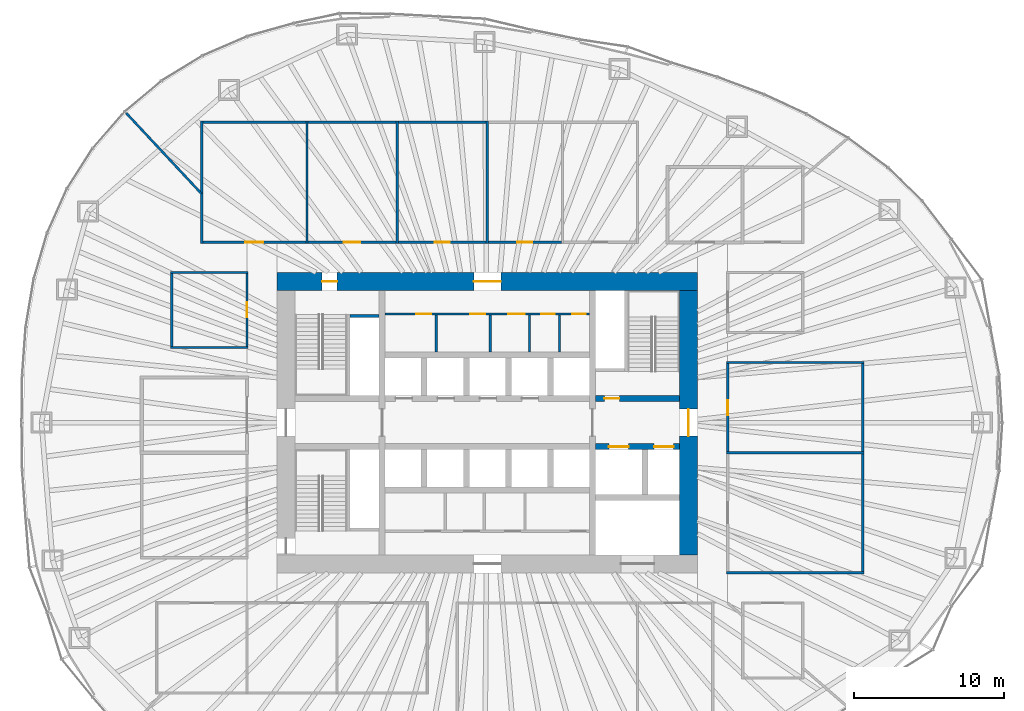
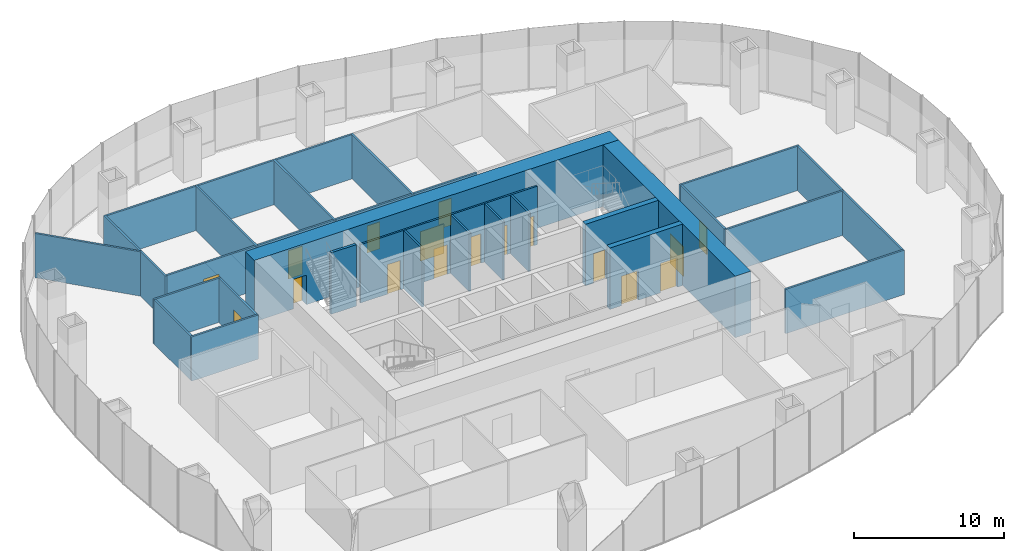
# One storey, part 11 of 18: 32 walls, 17 doors, 17 openings.
"""IFC4 building model written with IfcOpenShell, lengths in metres."""

from ifc_helpers import new_model, si_unit, direction, frame, frame_2d, origin, place, context, subcontext, project, spatial, rectangle, extrude, material, layer, layer_set, type_object, element, fill, save


model = new_model("IFC4")

# Units and contexts
model_context = context("Model", 3, precision=1e-05, world=origin(), true_north=direction((0.0, 1.0)))
body_context = subcontext(model_context, "Body", "Model", "MODEL_VIEW")
ifc_project = project(units=[si_unit("LENGTHUNIT", "METRE"), si_unit("AREAUNIT", "SQUARE_METRE"), si_unit("VOLUMEUNIT", "CUBIC_METRE"), si_unit("PLANEANGLEUNIT", "RADIAN"), si_unit("MASSUNIT", "GRAM", prefix="KILO")], contexts=[model_context])

# Site, building, storey
site_placement = place(None, origin())
site = spatial("IfcSite", under=ifc_project, at=site_placement, CompositionType="ELEMENT")
building_placement = place(site_placement, origin())
building = spatial("IfcBuilding", under=site, at=building_placement, Name="Ghaith Harvest Tower", CompositionType="ELEMENT")
storey_placement = place(building_placement, frame((0.0, 0.0, 95.0)))
storey = spatial("IfcBuildingStorey", under=building, at=storey_placement, Name="L19", CompositionType="ELEMENT", Elevation=95.0)

# Wall, openings, doors
ifc_material_1 = material(Name="Concrete blockwork, fair-faced", Category="masonry")
ifc_layer_1 = layer(ifc_material_1, 0.139892578125)
ifc_layer_set_1 = layer_set([ifc_layer_1], Name="CORE PARTITION 140")
wall_type_1 = type_object("IfcWallType", Name="CORE PARTITION 140", PredefinedType="PARTITIONING", material=ifc_layer_set_1)
wall_1_placement = place(storey_placement, frame((-6.800048828125, 7.22998046875, 0.0), z_axis=(0.0, 0.0, 1.0), x_axis=(1.0, 0.0, 0.0)))
wall_1 = element("IfcWall", 1, at=wall_1_placement, inside=storey, type_object=wall_type_1, Name="Core partition L19", PredefinedType="PARTITIONING", context=body_context, shape_type="SweptSolid", body=[
    extrude(rectangle(XDim=13.60009765625, YDim=0.139892578125, at=frame_2d((6.800048828125, 0.0))), origin(), (0.0, 0.0, 1.0), 4.75),
])
opening_1_placement = place(wall_1_placement, frame((2.080078125, 0.0, 0.0)))
opening_1 = element("IfcOpeningElement", 2, at=opening_1_placement, cuts=wall_1, Name="Opening 19-008", PredefinedType="OPENING", context=body_context, shape_type="SweptSolid", body=[
    extrude(rectangle(XDim=1.0, YDim=2.39990234375, at=frame_2d((0.5, 1.199951171875))), frame((0.0, 0.080078125, 0.0), z_axis=(0.0, -1.0, 0.0), x_axis=(1.0, 0.0, 0.0)), (0.0, 0.0, 1.0), 0.159912109375),
])
opening_2_placement = place(wall_1_placement, frame((5.679931640625, 0.0, 0.0)))
opening_2 = element("IfcOpeningElement", 3, at=opening_2_placement, cuts=wall_1, Name="Opening 19-009", PredefinedType="OPENING", context=body_context, shape_type="SweptSolid", body=[
    extrude(rectangle(XDim=1.0, YDim=2.39990234375, at=frame_2d((0.5, 1.199951171875))), frame((0.0, 0.080078125, 0.0), z_axis=(0.0, -1.0, 0.0), x_axis=(1.0, 0.0, 0.0)), (0.0, 0.0, 1.0), 0.159912109375),
])
opening_3_placement = place(wall_1_placement, frame((8.179931640625, 0.0, 0.0)))
opening_3 = element("IfcOpeningElement", 4, at=opening_3_placement, cuts=wall_1, Name="Opening 19-010", PredefinedType="OPENING", context=body_context, shape_type="SweptSolid", body=[
    extrude(rectangle(XDim=1.10009765625, YDim=2.39990234375, at=frame_2d((0.550048828125, 1.199951171875))), frame((0.0, 0.080078125, 0.0), z_axis=(0.0, -1.0, 0.0), x_axis=(1.0, 0.0, 0.0)), (0.0, 0.0, 1.0), 0.159912109375),
])
opening_4_placement = place(wall_1_placement, frame((10.3798828125, 0.0, 0.0)))
opening_4 = element("IfcOpeningElement", 5, at=opening_4_placement, cuts=wall_1, Name="Opening 19-011", PredefinedType="OPENING", context=body_context, shape_type="SweptSolid", body=[
    extrude(rectangle(XDim=0.89990234375, YDim=2.39990234375, at=frame_2d((0.449951171875, 1.199951171875))), frame((0.0, 0.080078125, 0.0), z_axis=(0.0, -1.0, 0.0), x_axis=(1.0, 0.0, 0.0)), (0.0, 0.0, 1.0), 0.159912109375),
])
opening_5_placement = place(wall_1_placement, frame((12.449951171875, 0.0, 0.0)))
opening_5 = element("IfcOpeningElement", 6, at=opening_5_placement, cuts=wall_1, Name="Opening 19-012", PredefinedType="OPENING", context=body_context, shape_type="SweptSolid", body=[
    extrude(rectangle(XDim=0.89990234375, YDim=2.39990234375, at=frame_2d((0.449951171875, 1.199951171875))), frame((0.0, 0.080078125, 0.0), z_axis=(0.0, -1.0, 0.0), x_axis=(1.0, 0.0, 0.0)), (0.0, 0.0, 1.0), 0.159912109375),
])
ifc_material_2 = material(Name="Steel fire door", Category="steel")
door_type_1 = type_object("IfcDoorType", Name="D3 FD90 1000x2400", OperationType="SINGLE_SWING_LEFT", PredefinedType="DOOR", material=ifc_material_2)
door_1_placement = place(opening_1_placement, origin())
door_1 = element("IfcDoor", 7, at=door_1_placement, inside=storey, type_object=door_type_1, Name="Male WC door", OperationType="SINGLE_SWING_LEFT", OverallHeight=2.39990234375, OverallWidth=1.0, PredefinedType="DOOR", context=body_context, shape_type="SweptSolid", body=[
    extrude(rectangle(XDim=1.0, YDim=2.39990234375, at=frame_2d((0.5, 1.199951171875))), frame((0.0, 0.02490234375, 0.0), z_axis=(0.0, -1.0, 0.0), x_axis=(1.0, 0.0, 0.0)), (0.0, 0.0, 1.0), 0.050048828125),
])
fill(opening_1, door_1)
door_2_placement = place(opening_2_placement, origin())
door_2 = element("IfcDoor", 8, at=door_2_placement, inside=storey, type_object=door_type_1, Name="Female WC door", OperationType="SINGLE_SWING_LEFT", OverallHeight=2.39990234375, OverallWidth=1.0, PredefinedType="DOOR", context=body_context, shape_type="SweptSolid", body=[
    extrude(rectangle(XDim=1.0, YDim=2.39990234375, at=frame_2d((0.5, 1.199951171875))), frame((0.0, 0.02490234375, 0.0), z_axis=(0.0, -1.0, 0.0), x_axis=(1.0, 0.0, 0.0)), (0.0, 0.0, 1.0), 0.050048828125),
])
fill(opening_2, door_2)
ifc_material_3 = material(Name="Steel fire door", Category="steel")
door_type_2 = type_object("IfcDoorType", Name="D5 FD90 900x2400", OperationType="SINGLE_SWING_LEFT", PredefinedType="DOOR", material=ifc_material_3)
door_3_placement = place(opening_4_placement, origin())
door_3 = element("IfcDoor", 9, at=door_3_placement, inside=storey, type_object=door_type_2, Name="Store door", OperationType="SINGLE_SWING_RIGHT", OverallHeight=2.39990234375, OverallWidth=0.89990234375, PredefinedType="DOOR", context=body_context, shape_type="SweptSolid", body=[
    extrude(rectangle(XDim=0.89990234375, YDim=2.39990234375, at=frame_2d((0.449951171875, 1.199951171875))), frame((0.0, 0.02490234375, 0.0), z_axis=(0.0, -1.0, 0.0), x_axis=(1.0, 0.0, 0.0)), (0.0, 0.0, 1.0), 0.050048828125),
])
fill(opening_4, door_3)
door_4_placement = place(opening_5_placement, origin())
door_4 = element("IfcDoor", 10, at=door_4_placement, inside=storey, type_object=door_type_2, Name="Cleaner's store door", OperationType="SINGLE_SWING_RIGHT", OverallHeight=2.39990234375, OverallWidth=0.89990234375, PredefinedType="DOOR", context=body_context, shape_type="SweptSolid", body=[
    extrude(rectangle(XDim=0.89990234375, YDim=2.39990234375, at=frame_2d((0.449951171875, 1.199951171875))), frame((0.0, 0.02490234375, 0.0), z_axis=(0.0, -1.0, 0.0), x_axis=(1.0, 0.0, 0.0)), (0.0, 0.0, 1.0), 0.050048828125),
])
fill(opening_5, door_4)
ifc_material_4 = material(Name="Steel fire door", Category="steel")
door_type_3 = type_object("IfcDoorType", Name="D9 FD90 1100x2400", OperationType="SINGLE_SWING_LEFT", PredefinedType="DOOR", material=ifc_material_4)
door_5_placement = place(opening_3_placement, origin())
door_5 = element("IfcDoor", 11, at=door_5_placement, inside=storey, type_object=door_type_3, Name="Accessible WC door", OperationType="SINGLE_SWING_RIGHT", OverallHeight=2.39990234375, OverallWidth=1.10009765625, PredefinedType="DOOR", context=body_context, shape_type="SweptSolid", body=[
    extrude(rectangle(XDim=1.10009765625, YDim=2.39990234375, at=frame_2d((0.550048828125, 1.199951171875))), frame((0.0, 0.02490234375, 0.0), z_axis=(0.0, -1.0, 0.0), x_axis=(1.0, 0.0, 0.0)), (0.0, 0.0, 1.0), 0.050048828125),
])
fill(opening_3, door_5)

# Walls
for number, where, z_axis, x_axis, name in (
    (12, (-3.39990234375, 4.699951171875, 0.0), (0.0, 0.0, 1.0), (0.0, 1.0, 0.0), "Core partition L19"),
    (13, (0.199951171875, 4.699951171875, 0.0), (0.0, 0.0, 1.0), (0.0, 1.0, 0.0), "Core partition L19"),
    (14, (2.800048828125, 4.699951171875, 0.0), (0.0, 0.0, 1.0), (0.0, 1.0, 0.0), "Core partition L19"),
    (15, (4.800048828125, 4.699951171875, 0.0), (0.0, 0.0, 1.0), (0.0, 1.0, 0.0), "Core partition L19"),
):
    element("IfcWall", number, at=place(storey_placement, frame(where, z_axis=z_axis, x_axis=x_axis)), inside=storey, type_object=wall_type_1, Name=name, PredefinedType="PARTITIONING", context=body_context, shape_type="SweptSolid", body=[
        extrude(rectangle(XDim=2.4599609375, YDim=0.139892578125, at=frame_2d((1.22998046875, 0.0))), origin(), (0.0, 0.0, 1.0), 4.75),
    ])

# Wall, openings, doors
ifc_material_5 = material(Name="Concrete C70/85", Category="concrete")
ifc_layer_2 = layer(ifc_material_5, 1.199951171875)
ifc_layer_set_2 = layer_set([ifc_layer_2], Name="CORE WALL CW1200")
wall_type_2 = type_object("IfcWallType", Name="CORE WALL CW1200", PredefinedType="SHEAR", material=ifc_layer_set_2)
wall_2_placement = place(storey_placement, frame((14.0, 9.39990234375, 0.0), z_axis=(0.0, 0.0, 1.0), x_axis=(-1.0, 0.0, 0.0)))
wall_2 = element("IfcWall", 16, at=wall_2_placement, inside=storey, type_object=wall_type_2, Name="Core wall N L19", PredefinedType="SHEAR", context=body_context, shape_type="SweptSolid", body=[
    extrude(rectangle(XDim=28.0, YDim=1.199951171875, at=frame_2d((14.0, 0.0))), origin(), (0.0, 0.0, 1.0), 5.0),
])
opening_6_placement = place(wall_2_placement, frame((24.0, 0.0, 0.0)))
opening_6 = element("IfcOpeningElement", 17, at=opening_6_placement, cuts=wall_2, Name="Opening 19-005", PredefinedType="OPENING", context=body_context, shape_type="SweptSolid", body=[
    extrude(rectangle(XDim=1.0, YDim=2.39990234375, at=frame_2d((0.5, 1.199951171875))), frame((0.0, 0.60986328125, 0.0), z_axis=(0.0, -1.0, 0.0), x_axis=(1.0, 0.0, 0.0)), (0.0, 0.0, 1.0), 1.219970703125),
])
opening_7_placement = place(wall_2_placement, frame((13.10009765625, 0.0, 0.0)))
opening_7 = element("IfcOpeningElement", 18, at=opening_7_placement, cuts=wall_2, Name="Opening 19-017", PredefinedType="OPENING", context=body_context, shape_type="SweptSolid", body=[
    extrude(rectangle(XDim=1.800048828125, YDim=2.39990234375, at=frame_2d((0.89990234375, 1.199951171875))), frame((0.0, 0.60986328125, 0.0), z_axis=(0.0, -1.0, 0.0), x_axis=(1.0, 0.0, 0.0)), (0.0, 0.0, 1.0), 1.219970703125),
])
door_6_placement = place(opening_6_placement, origin())
door_6 = element("IfcDoor", 19, at=door_6_placement, inside=storey, type_object=door_type_1, Name="Stair ST1 door", OperationType="SINGLE_SWING_RIGHT", OverallHeight=2.39990234375, OverallWidth=1.0, PredefinedType="DOOR", context=body_context, shape_type="SweptSolid", body=[
    extrude(rectangle(XDim=1.0, YDim=2.39990234375, at=frame_2d((0.5, 1.199951171875))), frame((0.0, 0.02490234375, 0.0), z_axis=(0.0, -1.0, 0.0), x_axis=(1.0, 0.0, 0.0)), (0.0, 0.0, 1.0), 0.050048828125),
])
fill(opening_6, door_6)
ifc_material_6 = material(Name="Steel fire door", Category="steel")
door_type_4 = type_object("IfcDoorType", Name="D4 FD90 PAIR 1800x2400", OperationType="DOUBLE_DOOR_SINGLE_SWING", PredefinedType="DOOR", material=ifc_material_6)
door_7_placement = place(opening_7_placement, origin())
door_7 = element("IfcDoor", 20, at=door_7_placement, inside=storey, type_object=door_type_4, Name="Core service corridor doors", OperationType="DOUBLE_DOOR_SINGLE_SWING", OverallHeight=2.39990234375, OverallWidth=1.800048828125, PredefinedType="DOOR", context=body_context, shape_type="SweptSolid", body=[
    extrude(rectangle(XDim=1.800048828125, YDim=2.39990234375, at=frame_2d((0.89990234375, 1.199951171875))), frame((0.0, 0.02490234375, 0.0), z_axis=(0.0, -1.0, 0.0), x_axis=(1.0, 0.0, 0.0)), (0.0, 0.0, 1.0), 0.050048828125),
])
fill(opening_7, door_7)

# Wall, opening, door
wall_3_placement = place(storey_placement, frame((13.39990234375, -8.800048828125, 0.0), z_axis=(0.0, 0.0, 1.0), x_axis=(0.0, 1.0, 0.0)))
wall_3 = element("IfcWall", 21, at=wall_3_placement, inside=storey, type_object=wall_type_2, Name="Core wall E L19", PredefinedType="SHEAR", context=body_context, shape_type="SweptSolid", body=[
    extrude(rectangle(XDim=17.60009765625, YDim=1.199951171875, at=frame_2d((8.800048828125, 0.0))), origin(), (0.0, 0.0, 1.0), 5.0),
])
opening_8_placement = place(wall_3_placement, frame((7.89990234375, 0.0, 0.0)))
opening_8 = element("IfcOpeningElement", 22, at=opening_8_placement, cuts=wall_3, Name="Opening 19-002", PredefinedType="OPENING", context=body_context, shape_type="SweptSolid", body=[
    extrude(rectangle(XDim=1.800048828125, YDim=2.39990234375, at=frame_2d((0.89990234375, 1.199951171875))), frame((0.0, 0.60986328125, 0.0), z_axis=(0.0, -1.0, 0.0), x_axis=(1.0, 0.0, 0.0)), (0.0, 0.0, 1.0), 1.219970703125),
])
door_8_placement = place(opening_8_placement, origin())
door_8 = element("IfcDoor", 23, at=door_8_placement, inside=storey, type_object=door_type_4, Name="Fire-fighting lobby doors", OperationType="DOUBLE_DOOR_SINGLE_SWING", OverallHeight=2.39990234375, OverallWidth=1.800048828125, PredefinedType="DOOR", context=body_context, shape_type="SweptSolid", body=[
    extrude(rectangle(XDim=1.800048828125, YDim=2.39990234375, at=frame_2d((0.89990234375, 1.199951171875))), frame((0.0, 0.02490234375, 0.0), z_axis=(0.0, -1.0, 0.0), x_axis=(1.0, 0.0, 0.0)), (0.0, 0.0, 1.0), 0.050048828125),
])
fill(opening_8, door_8)

# Walls
ifc_material_7 = material(Name="Gypsum board on steel studs", Category="steel")
ifc_layer_3 = layer(ifc_material_7, 0.14990234375)
ifc_layer_set_3 = layer_set([ifc_layer_3], Name="PARTITION 150")
wall_type_3 = type_object("IfcWallType", Name="PARTITION 150", PredefinedType="PARTITIONING", material=ifc_layer_set_3)
for number, where, z_axis, x_axis, name in (
    (24, (15.925048828125, -10.0, 0.0), (0.0, 0.0, 1.0), (1.0, 0.0, 0.0), "Partition L19 row E3 cross wall 1"),
    (25, (15.925048828125, -2.0, 0.0), (0.0, 0.0, 1.0), (1.0, 0.0, 0.0), "Partition L19 row E3 cross wall 2"),
    (26, (15.925048828125, 4.0, 0.0), (0.0, 0.0, 1.0), (1.0, 0.0, 0.0), "Partition L19 row E3 cross wall 3"),
):
    element("IfcWall", number, at=place(storey_placement, frame(where, z_axis=z_axis, x_axis=x_axis)), inside=storey, type_object=wall_type_3, Name=name, PredefinedType="PARTITIONING", context=body_context, shape_type="SweptSolid", body=[
        extrude(rectangle(XDim=9.14990234375, YDim=0.14990234375, at=frame_2d((4.574951171875, 0.0))), origin(), (0.0, 0.0, 1.0), 3.60009765625),
    ])
wall_4_placement = place(storey_placement, frame((25.0, -9.925048828125, 0.0), z_axis=(0.0, 0.0, 1.0), x_axis=(0.0, 1.0, 0.0)))
element("IfcWall", 27, at=wall_4_placement, inside=storey, type_object=wall_type_3, Name="Partition L19-06", PredefinedType="PARTITIONING", context=body_context, shape_type="SweptSolid", body=[
    extrude(rectangle(XDim=7.85009765625, YDim=0.14990234375, at=frame_2d((3.925048828125, 0.0))), origin(), (0.0, 0.0, 1.0), 3.60009765625),
])

# Wall, opening, door
wall_5_placement = place(storey_placement, frame((16.0, -1.925048828125, 0.0), z_axis=(0.0, 0.0, 1.0), x_axis=(0.0, 1.0, 0.0)))
wall_5 = element("IfcWall", 28, at=wall_5_placement, inside=storey, type_object=wall_type_3, Name="Partition L19-07", PredefinedType="PARTITIONING", context=body_context, shape_type="SweptSolid", body=[
    extrude(rectangle(XDim=5.85009765625, YDim=0.14990234375, at=frame_2d((2.925048828125, 0.0))), origin(), (0.0, 0.0, 1.0), 3.60009765625),
])
opening_9_placement = place(wall_5_placement, frame((2.425048828125, 0.0, 0.0)))
opening_9 = element("IfcOpeningElement", 29, at=opening_9_placement, cuts=wall_5, Name="Opening 19-032", PredefinedType="OPENING", context=body_context, shape_type="SweptSolid", body=[
    extrude(rectangle(XDim=1.0, YDim=2.199951171875, at=frame_2d((0.5, 1.10009765625))), frame((0.0, 0.0849609375, 0.0), z_axis=(0.0, -1.0, 0.0), x_axis=(1.0, 0.0, 0.0)), (0.0, 0.0, 1.0), 0.169921875),
])
ifc_material_8 = material(Name="Timber door", Category="wood")
door_type_5 = type_object("IfcDoorType", Name="D1 SINGLE 1000x2200", OperationType="SINGLE_SWING_LEFT", PredefinedType="DOOR", material=ifc_material_8)
door_9_placement = place(opening_9_placement, origin())
door_9 = element("IfcDoor", 30, at=door_9_placement, inside=storey, type_object=door_type_5, Name="Crate store door", OperationType="SINGLE_SWING_LEFT", OverallHeight=2.199951171875, OverallWidth=1.0, PredefinedType="DOOR", context=body_context, shape_type="SweptSolid", body=[
    extrude(rectangle(XDim=1.0, YDim=2.199951171875, at=frame_2d((0.5, 1.10009765625))), frame((0.0, 0.02490234375, 0.0), z_axis=(0.0, -1.0, 0.0), x_axis=(1.0, 0.0, 0.0)), (0.0, 0.0, 1.0), 0.050048828125),
])
fill(opening_9, door_9)

# Walls
wall_6_placement = place(storey_placement, frame((25.0, -1.925048828125, 0.0), z_axis=(0.0, 0.0, 1.0), x_axis=(0.0, 1.0, 0.0)))
element("IfcWall", 31, at=wall_6_placement, inside=storey, type_object=wall_type_3, Name="Partition L19-07", PredefinedType="PARTITIONING", context=body_context, shape_type="SweptSolid", body=[
    extrude(rectangle(XDim=5.85009765625, YDim=0.14990234375, at=frame_2d((2.925048828125, 0.0))), origin(), (0.0, 0.0, 1.0), 3.60009765625),
])
for number, where, z_axis, x_axis, name in (
    (32, (-19.0, 11.925048828125, 0.0), (0.0, 0.0, 1.0), (0.0, 1.0, 0.0), "Partition L19 row N4 cross wall 1"),
    (33, (-12.0, 11.925048828125, 0.0), (0.0, 0.0, 1.0), (0.0, 1.0, 0.0), "Partition L19 row N4 cross wall 2"),
    (34, (-6.0, 11.925048828125, 0.0), (0.0, 0.0, 1.0), (0.0, 1.0, 0.0), "Partition L19 row N4 cross wall 3"),
    (35, (0.0, 11.925048828125, 0.0), (0.0, 0.0, 1.0), (0.0, 1.0, 0.0), "Partition L19 row N4 cross wall 4"),
):
    element("IfcWall", number, at=place(storey_placement, frame(where, z_axis=z_axis, x_axis=x_axis)), inside=storey, type_object=wall_type_3, Name=name, PredefinedType="PARTITIONING", context=body_context, shape_type="SweptSolid", body=[
        extrude(rectangle(XDim=8.14990234375, YDim=0.14990234375, at=frame_2d((4.074951171875, 0.0))), origin(), (0.0, 0.0, 1.0), 3.60009765625),
    ])

# Wall, opening, door
wall_7_placement = place(storey_placement, frame((-18.925048828125, 12.0, 0.0), z_axis=(0.0, 0.0, 1.0), x_axis=(1.0, 0.0, 0.0)))
wall_7 = element("IfcWall", 36, at=wall_7_placement, inside=storey, type_object=wall_type_3, Name="Partition L19-08", PredefinedType="PARTITIONING", context=body_context, shape_type="SweptSolid", body=[
    extrude(rectangle(XDim=6.85009765625, YDim=0.14990234375, at=frame_2d((3.425048828125, 0.0))), origin(), (0.0, 0.0, 1.0), 3.60009765625),
])
opening_10_placement = place(wall_7_placement, frame((2.824951171875, 0.0, 0.0)))
opening_10 = element("IfcOpeningElement", 37, at=opening_10_placement, cuts=wall_7, Name="Opening 19-033", PredefinedType="OPENING", context=body_context, shape_type="SweptSolid", body=[
    extrude(rectangle(XDim=1.199951171875, YDim=2.300048828125, at=frame_2d((0.60009765625, 1.14990234375))), frame((0.0, 0.0849609375, 0.0), z_axis=(0.0, -1.0, 0.0), x_axis=(1.0, 0.0, 0.0)), (0.0, 0.0, 1.0), 0.169921875),
])
ifc_material_9 = material(Name="Timber door with vision panel", Category="wood")
door_type_6 = type_object("IfcDoorType", Name="D15 LABORATORY 1200x2300", OperationType="SINGLE_SWING_LEFT", PredefinedType="DOOR", material=ifc_material_9)
door_10_placement = place(opening_10_placement, origin())
door_10 = element("IfcDoor", 38, at=door_10_placement, inside=storey, type_object=door_type_6, Name="Quality laboratory door", OperationType="SINGLE_SWING_LEFT", OverallHeight=2.300048828125, OverallWidth=1.199951171875, PredefinedType="DOOR", context=body_context, shape_type="SweptSolid", body=[
    extrude(rectangle(XDim=1.199951171875, YDim=2.300048828125, at=frame_2d((0.60009765625, 1.14990234375))), frame((0.0, 0.02490234375, 0.0), z_axis=(0.0, -1.0, 0.0), x_axis=(1.0, 0.0, 0.0)), (0.0, 0.0, 1.0), 0.050048828125),
])
fill(opening_10, door_10)

# Wall
wall_8_placement = place(storey_placement, frame((-18.925048828125, 20.0, 0.0), z_axis=(0.0, 0.0, 1.0), x_axis=(1.0, 0.0, 0.0)))
element("IfcWall", 39, at=wall_8_placement, inside=storey, type_object=wall_type_3, Name="Partition L19-08", PredefinedType="PARTITIONING", context=body_context, shape_type="SweptSolid", body=[
    extrude(rectangle(XDim=6.85009765625, YDim=0.14990234375, at=frame_2d((3.425048828125, 0.0))), origin(), (0.0, 0.0, 1.0), 3.60009765625),
])

# Wall, opening, door
wall_9_placement = place(storey_placement, frame((-11.925048828125, 12.0, 0.0), z_axis=(0.0, 0.0, 1.0), x_axis=(1.0, 0.0, 0.0)))
wall_9 = element("IfcWall", 40, at=wall_9_placement, inside=storey, type_object=wall_type_3, Name="Partition L19-09", PredefinedType="PARTITIONING", context=body_context, shape_type="SweptSolid", body=[
    extrude(rectangle(XDim=5.85009765625, YDim=0.14990234375, at=frame_2d((2.925048828125, 0.0))), origin(), (0.0, 0.0, 1.0), 3.60009765625),
])
opening_11_placement = place(wall_9_placement, frame((2.375, 0.0, 0.0)))
opening_11 = element("IfcOpeningElement", 41, at=opening_11_placement, cuts=wall_9, Name="Opening 19-034", PredefinedType="OPENING", context=body_context, shape_type="SweptSolid", body=[
    extrude(rectangle(XDim=1.10009765625, YDim=2.300048828125, at=frame_2d((0.550048828125, 1.14990234375))), frame((0.0, 0.0849609375, 0.0), z_axis=(0.0, -1.0, 0.0), x_axis=(1.0, 0.0, 0.0)), (0.0, 0.0, 1.0), 0.169921875),
])
ifc_material_10 = material(Name="Timber-framed glazed door", Category="wood")
door_type_7 = type_object("IfcDoorType", Name="D12 GLAZED OFFICE 1100x2300", OperationType="SINGLE_SWING_LEFT", PredefinedType="DOOR", material=ifc_material_10)
door_11_placement = place(opening_11_placement, origin())
door_11 = element("IfcDoor", 42, at=door_11_placement, inside=storey, type_object=door_type_7, Name="Farm office door", OperationType="SINGLE_SWING_LEFT", OverallHeight=2.300048828125, OverallWidth=1.10009765625, PredefinedType="DOOR", context=body_context, shape_type="SweptSolid", body=[
    extrude(rectangle(XDim=1.10009765625, YDim=2.300048828125, at=frame_2d((0.550048828125, 1.14990234375))), frame((0.0, 0.02490234375, 0.0), z_axis=(0.0, -1.0, 0.0), x_axis=(1.0, 0.0, 0.0)), (0.0, 0.0, 1.0), 0.050048828125),
])
fill(opening_11, door_11)

# Wall
wall_10_placement = place(storey_placement, frame((-11.925048828125, 20.0, 0.0), z_axis=(0.0, 0.0, 1.0), x_axis=(1.0, 0.0, 0.0)))
element("IfcWall", 43, at=wall_10_placement, inside=storey, type_object=wall_type_3, Name="Partition L19-09", PredefinedType="PARTITIONING", context=body_context, shape_type="SweptSolid", body=[
    extrude(rectangle(XDim=5.85009765625, YDim=0.14990234375, at=frame_2d((2.925048828125, 0.0))), origin(), (0.0, 0.0, 1.0), 3.60009765625),
])

# Wall, opening, door
wall_11_placement = place(storey_placement, frame((-5.925048828125, 12.0, 0.0), z_axis=(0.0, 0.0, 1.0), x_axis=(1.0, 0.0, 0.0)))
wall_11 = element("IfcWall", 44, at=wall_11_placement, inside=storey, type_object=wall_type_3, Name="Partition L19-10", PredefinedType="PARTITIONING", context=body_context, shape_type="SweptSolid", body=[
    extrude(rectangle(XDim=5.85009765625, YDim=0.14990234375, at=frame_2d((2.925048828125, 0.0))), origin(), (0.0, 0.0, 1.0), 3.60009765625),
])
opening_12_placement = place(wall_11_placement, frame((2.425048828125, 0.0, 0.0)))
opening_12 = element("IfcOpeningElement", 45, at=opening_12_placement, cuts=wall_11, Name="Opening 19-035", PredefinedType="OPENING", context=body_context, shape_type="SweptSolid", body=[
    extrude(rectangle(XDim=1.0, YDim=2.199951171875, at=frame_2d((0.5, 1.10009765625))), frame((0.0, 0.0849609375, 0.0), z_axis=(0.0, -1.0, 0.0), x_axis=(1.0, 0.0, 0.0)), (0.0, 0.0, 1.0), 0.169921875),
])
door_12_placement = place(opening_12_placement, origin())
door_12 = element("IfcDoor", 46, at=door_12_placement, inside=storey, type_object=door_type_5, Name="Staff room door", OperationType="SINGLE_SWING_LEFT", OverallHeight=2.199951171875, OverallWidth=1.0, PredefinedType="DOOR", context=body_context, shape_type="SweptSolid", body=[
    extrude(rectangle(XDim=1.0, YDim=2.199951171875, at=frame_2d((0.5, 1.10009765625))), frame((0.0, 0.02490234375, 0.0), z_axis=(0.0, -1.0, 0.0), x_axis=(1.0, 0.0, 0.0)), (0.0, 0.0, 1.0), 0.050048828125),
])
fill(opening_12, door_12)

# Wall
wall_12_placement = place(storey_placement, frame((-5.925048828125, 20.0, 0.0), z_axis=(0.0, 0.0, 1.0), x_axis=(1.0, 0.0, 0.0)))
element("IfcWall", 47, at=wall_12_placement, inside=storey, type_object=wall_type_3, Name="Partition L19-10", PredefinedType="PARTITIONING", context=body_context, shape_type="SweptSolid", body=[
    extrude(rectangle(XDim=5.85009765625, YDim=0.14990234375, at=frame_2d((2.925048828125, 0.0))), origin(), (0.0, 0.0, 1.0), 3.60009765625),
])

# Wall, opening, door
wall_13_placement = place(storey_placement, frame((0.074951171875, 12.0, 0.0), z_axis=(0.0, 0.0, 1.0), x_axis=(1.0, 0.0, 0.0)))
wall_13 = element("IfcWall", 48, at=wall_13_placement, inside=storey, type_object=wall_type_3, Name="Partition L19-11", PredefinedType="PARTITIONING", context=body_context, shape_type="SweptSolid", body=[
    extrude(rectangle(XDim=4.85009765625, YDim=0.14990234375, at=frame_2d((2.425048828125, 0.0))), origin(), (0.0, 0.0, 1.0), 3.60009765625),
])
opening_13_placement = place(wall_13_placement, frame((1.925048828125, 0.0, 0.0)))
opening_13 = element("IfcOpeningElement", 49, at=opening_13_placement, cuts=wall_13, Name="Opening 19-036", PredefinedType="OPENING", context=body_context, shape_type="SweptSolid", body=[
    extrude(rectangle(XDim=1.0, YDim=2.199951171875, at=frame_2d((0.5, 1.10009765625))), frame((0.0, 0.0849609375, 0.0), z_axis=(0.0, -1.0, 0.0), x_axis=(1.0, 0.0, 0.0)), (0.0, 0.0, 1.0), 0.169921875),
])
door_13_placement = place(opening_13_placement, origin())
door_13 = element("IfcDoor", 50, at=door_13_placement, inside=storey, type_object=door_type_5, Name="Male staff changing room door", OperationType="SINGLE_SWING_LEFT", OverallHeight=2.199951171875, OverallWidth=1.0, PredefinedType="DOOR", context=body_context, shape_type="SweptSolid", body=[
    extrude(rectangle(XDim=1.0, YDim=2.199951171875, at=frame_2d((0.5, 1.10009765625))), frame((0.0, 0.02490234375, 0.0), z_axis=(0.0, -1.0, 0.0), x_axis=(1.0, 0.0, 0.0)), (0.0, 0.0, 1.0), 0.050048828125),
])
fill(opening_13, door_13)

# Walls
for number, where, z_axis, x_axis, name in (
    (51, (-15.925048828125, 5.0, 0.0), (0.0, 0.0, 1.0), (-1.0, 0.0, 0.0), "Partition L19 row W9 cross wall 1"),
    (52, (-15.925048828125, 10.0, 0.0), (0.0, 0.0, 1.0), (-1.0, 0.0, 0.0), "Partition L19 row W9 cross wall 2"),
):
    element("IfcWall", number, at=place(storey_placement, frame(where, z_axis=z_axis, x_axis=x_axis)), inside=storey, type_object=wall_type_3, Name=name, PredefinedType="PARTITIONING", context=body_context, shape_type="SweptSolid", body=[
        extrude(rectangle(XDim=5.14990234375, YDim=0.14990234375, at=frame_2d((2.574951171875, 0.0))), origin(), (0.0, 0.0, 1.0), 3.60009765625),
    ])

# Wall, opening, door
wall_14_placement = place(storey_placement, frame((-16.0, 5.074951171875, 0.0), z_axis=(0.0, 0.0, 1.0), x_axis=(0.0, 1.0, 0.0)))
wall_14 = element("IfcWall", 53, at=wall_14_placement, inside=storey, type_object=wall_type_3, Name="Partition L19-19", PredefinedType="PARTITIONING", context=body_context, shape_type="SweptSolid", body=[
    extrude(rectangle(XDim=4.85009765625, YDim=0.14990234375, at=frame_2d((2.425048828125, 0.0))), origin(), (0.0, 0.0, 1.0), 3.60009765625),
])
opening_14_placement = place(wall_14_placement, frame((1.925048828125, 0.0, 0.0)))
opening_14 = element("IfcOpeningElement", 54, at=opening_14_placement, cuts=wall_14, Name="Opening 19-044", PredefinedType="OPENING", context=body_context, shape_type="SweptSolid", body=[
    extrude(rectangle(XDim=1.0, YDim=2.199951171875, at=frame_2d((0.5, 1.10009765625))), frame((0.0, 0.0849609375, 0.0), z_axis=(0.0, -1.0, 0.0), x_axis=(1.0, 0.0, 0.0)), (0.0, 0.0, 1.0), 0.169921875),
])
door_14_placement = place(opening_14_placement, origin())
door_14 = element("IfcDoor", 55, at=door_14_placement, inside=storey, type_object=door_type_5, Name="Refuse room door", OperationType="SINGLE_SWING_LEFT", OverallHeight=2.199951171875, OverallWidth=1.0, PredefinedType="DOOR", context=body_context, shape_type="SweptSolid", body=[
    extrude(rectangle(XDim=1.0, YDim=2.199951171875, at=frame_2d((0.5, 1.10009765625))), frame((0.0, 0.02490234375, 0.0), z_axis=(0.0, -1.0, 0.0), x_axis=(1.0, 0.0, 0.0)), (0.0, 0.0, 1.0), 0.050048828125),
])
fill(opening_14, door_14)

# Walls
wall_15_placement = place(storey_placement, frame((-21.0, 5.074951171875, 0.0), z_axis=(0.0, 0.0, 1.0), x_axis=(0.0, 1.0, 0.0)))
element("IfcWall", 56, at=wall_15_placement, inside=storey, type_object=wall_type_3, Name="Partition L19-19", PredefinedType="PARTITIONING", context=body_context, shape_type="SweptSolid", body=[
    extrude(rectangle(XDim=4.85009765625, YDim=0.14990234375, at=frame_2d((2.425048828125, 0.0))), origin(), (0.0, 0.0, 1.0), 3.60009765625),
])
wall_16_placement = place(storey_placement, frame((-19.02001953125, 15.23388671875, 0.0), z_axis=(0.0, 0.0, 1.0), x_axis=(-0.682519491562, 0.730867391281, 0.0)))
element("IfcWall", 57, at=wall_16_placement, inside=storey, type_object=wall_type_3, Name="Partition L19 zone division", PredefinedType="PARTITIONING", context=body_context, shape_type="SweptSolid", body=[
    extrude(rectangle(XDim=7.34716796875, YDim=0.14990234375, at=frame_2d((3.673583984375, 0.0))), origin(), (0.0, 0.0, 1.0), 3.60009765625),
])

# Wall, opening, door
ifc_material_11 = material(Name="Concrete C70/85", Category="concrete")
ifc_layer_4 = layer(ifc_material_11, 0.39990234375)
ifc_layer_set_4 = layer_set([ifc_layer_4], Name="SHAFT WALL 400")
wall_type_4 = type_object("IfcWallType", Name="SHAFT WALL 400", PredefinedType="SHEAR", material=ifc_layer_set_4)
wall_17_placement = place(storey_placement, frame((7.199951171875, 1.60009765625, 0.0), z_axis=(0.0, 0.0, 1.0), x_axis=(1.0, 0.0, 0.0)))
wall_17 = element("IfcWall", 58, at=wall_17_placement, inside=storey, type_object=wall_type_4, Name="Shaft wall EN L19", PredefinedType="SHEAR", context=body_context, shape_type="SweptSolid", body=[
    extrude(rectangle(XDim=5.60009765625, YDim=0.39990234375, at=frame_2d((2.800048828125, 0.0))), origin(), (0.0, 0.0, 1.0), 5.0),
])
opening_15_placement = place(wall_17_placement, frame((0.60009765625, 0.0, 0.0)))
opening_15 = element("IfcOpeningElement", 59, at=opening_15_placement, cuts=wall_17, Name="Opening 19-007", PredefinedType="OPENING", context=body_context, shape_type="SweptSolid", body=[
    extrude(rectangle(XDim=1.0, YDim=2.39990234375, at=frame_2d((0.5, 1.199951171875))), frame((0.0, 0.2099609375, 0.0), z_axis=(0.0, -1.0, 0.0), x_axis=(1.0, 0.0, 0.0)), (0.0, 0.0, 1.0), 0.419921875),
])
door_15_placement = place(opening_15_placement, origin())
door_15 = element("IfcDoor", 60, at=door_15_placement, inside=storey, type_object=door_type_1, Name="Stair ST2 door", OperationType="SINGLE_SWING_LEFT", OverallHeight=2.39990234375, OverallWidth=1.0, PredefinedType="DOOR", context=body_context, shape_type="SweptSolid", body=[
    extrude(rectangle(XDim=1.0, YDim=2.39990234375, at=frame_2d((0.5, 1.199951171875))), frame((0.0, 0.02490234375, 0.0), z_axis=(0.0, -1.0, 0.0), x_axis=(1.0, 0.0, 0.0)), (0.0, 0.0, 1.0), 0.050048828125),
])
fill(opening_15, door_15)

# Wall, openings, doors
wall_18_placement = place(storey_placement, frame((7.199951171875, -1.60009765625, 0.0), z_axis=(0.0, 0.0, 1.0), x_axis=(1.0, 0.0, 0.0)))
wall_18 = element("IfcWall", 61, at=wall_18_placement, inside=storey, type_object=wall_type_4, Name="Shaft wall ES L19", PredefinedType="SHEAR", context=body_context, shape_type="SweptSolid", body=[
    extrude(rectangle(XDim=5.60009765625, YDim=0.39990234375, at=frame_2d((2.800048828125, 0.0))), origin(), (0.0, 0.0, 1.0), 5.0),
])
opening_16_placement = place(wall_18_placement, frame((0.89990234375, 0.0, 0.0)))
opening_16 = element("IfcOpeningElement", 62, at=opening_16_placement, cuts=wall_18, Name="Opening 19-023", PredefinedType="OPENING", context=body_context, shape_type="SweptSolid", body=[
    extrude(rectangle(XDim=1.300048828125, YDim=2.39990234375, at=frame_2d((0.64990234375, 1.199951171875))), frame((0.0, 0.2099609375, 0.0), z_axis=(0.0, -1.0, 0.0), x_axis=(1.0, 0.0, 0.0)), (0.0, 0.0, 1.0), 0.419921875),
])
opening_17_placement = place(wall_18_placement, frame((3.89990234375, 0.0, 0.0)))
opening_17 = element("IfcOpeningElement", 63, at=opening_17_placement, cuts=wall_18, Name="Opening 19-024", PredefinedType="OPENING", context=body_context, shape_type="SweptSolid", body=[
    extrude(rectangle(XDim=1.300048828125, YDim=2.39990234375, at=frame_2d((0.64990234375, 1.199951171875))), frame((0.0, 0.2099609375, 0.0), z_axis=(0.0, -1.0, 0.0), x_axis=(1.0, 0.0, 0.0)), (0.0, 0.0, 1.0), 0.419921875),
])
ifc_material_12 = material(Name="Steel fire door", Category="steel")
door_type_8 = type_object("IfcDoorType", Name="LD2 LANDING 1300x2400", OperationType="DOUBLE_DOOR_SLIDING", PredefinedType="DOOR", material=ifc_material_12)
door_16_placement = place(opening_16_placement, origin())
door_16 = element("IfcDoor", 64, at=door_16_placement, inside=storey, type_object=door_type_8, Name="Landing door, fire service lift FL1", OperationType="DOUBLE_DOOR_SLIDING", OverallHeight=2.39990234375, OverallWidth=1.300048828125, PredefinedType="DOOR", context=body_context, shape_type="SweptSolid", body=[
    extrude(rectangle(XDim=1.300048828125, YDim=2.39990234375, at=frame_2d((0.64990234375, 1.199951171875))), frame((0.0, 0.02490234375, 0.0), z_axis=(0.0, -1.0, 0.0), x_axis=(1.0, 0.0, 0.0)), (0.0, 0.0, 1.0), 0.050048828125),
])
fill(opening_16, door_16)
door_17_placement = place(opening_17_placement, origin())
door_17 = element("IfcDoor", 65, at=door_17_placement, inside=storey, type_object=door_type_8, Name="Landing door, fire service lift FL2", OperationType="DOUBLE_DOOR_SLIDING", OverallHeight=2.39990234375, OverallWidth=1.300048828125, PredefinedType="DOOR", context=body_context, shape_type="SweptSolid", body=[
    extrude(rectangle(XDim=1.300048828125, YDim=2.39990234375, at=frame_2d((0.64990234375, 1.199951171875))), frame((0.0, 0.02490234375, 0.0), z_axis=(0.0, -1.0, 0.0), x_axis=(1.0, 0.0, 0.0)), (0.0, 0.0, 1.0), 0.050048828125),
])
fill(opening_17, door_17)

# Wall
ifc_material_13 = material(Name="Concrete C40/50", Category="concrete")
ifc_layer_5 = layer(ifc_material_13, 0.199951171875)
ifc_layer_set_5 = layer_set([ifc_layer_5], Name="STAIR SPINE WALL RC200")
wall_type_5 = type_object("IfcWallType", Name="STAIR SPINE WALL RC200", PredefinedType="SOLIDWALL", material=ifc_layer_set_5)
wall_19_placement = place(storey_placement, frame((-9.14990234375, 7.10009765625, 0.0), z_axis=(0.0, 0.0, 1.0), x_axis=(1.0, 0.0, 0.0)))
element("IfcWall", 66, at=wall_19_placement, inside=storey, type_object=wall_type_5, Name="Stair ST1 spine wall return L19", PredefinedType="SOLIDWALL", context=body_context, shape_type="SweptSolid", body=[
    extrude(rectangle(XDim=1.949951171875, YDim=0.199951171875, at=frame_2d((0.97509765625, 0.0))), origin(), (0.0, 0.0, 1.0), 5.0),
])

save(model, "model.ifc")
